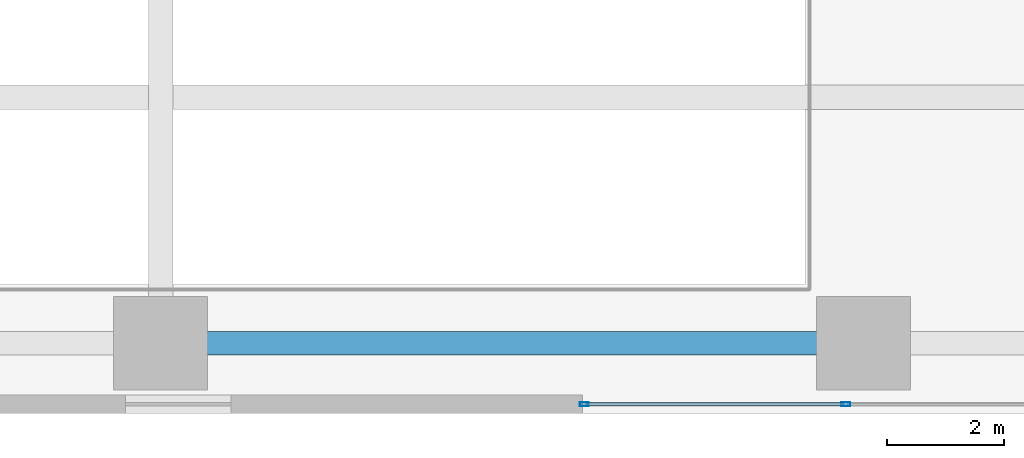
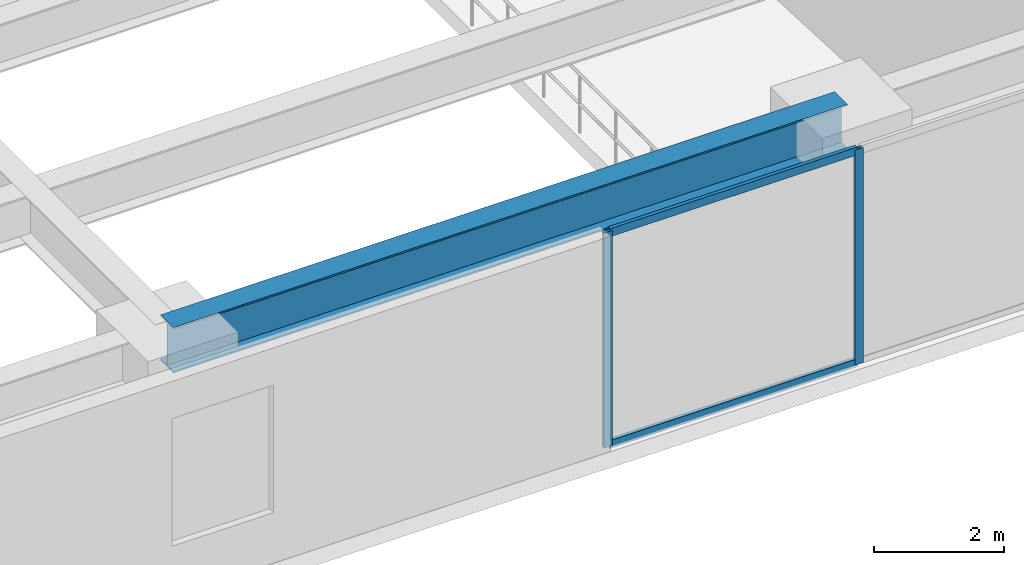
# One storey, part 2 of 25: 4 members, 1 beam, 1 element without a shape of its own.
"""IFC4 building model written with IfcOpenShell, lengths in metres."""

from ifc_helpers import new_model, si_unit, direction, frame, origin, origin_2d, place, context, subcontext, project, spatial, hollow_rectangle, i_section, extrude, source, transform, mapped, material, layer, layer_set, material_profile, profile_set, type_object, type_shapes, element, aggregate, save


model = new_model("IFC4")

# Units and contexts
model_context = context("Model", 3, precision=1e-05, world=origin(), true_north=direction((0.0, 1.0)))
body_context = subcontext(model_context, "Body", "Model", "MODEL_VIEW")
ifc_project = project(units=[si_unit("LENGTHUNIT", "METRE"), si_unit("AREAUNIT", "SQUARE_METRE"), si_unit("VOLUMEUNIT", "CUBIC_METRE"), si_unit("PLANEANGLEUNIT", "RADIAN"), si_unit("MASSUNIT", "GRAM", prefix="KILO")], contexts=[model_context])

# Site, building, storey
site_placement = place(None, origin())
site = spatial("IfcSite", under=ifc_project, at=site_placement, CompositionType="ELEMENT")
building_placement = place(site_placement, origin())
building = spatial("IfcBuilding", under=site, at=building_placement, Name="Talar Marvaseh", CompositionType="ELEMENT")
storey_placement = place(building_placement, frame((0.0, 0.0, 14.39990234375)))
storey = spatial("IfcBuildingStorey", under=building, at=storey_placement, Name="L03", CompositionType="ELEMENT", Elevation=14.39990234375)

# Beam
ifc_material_1 = material(Name="Steel S355", Category="steel")
ifc_material_profile_1 = material_profile(ifc_material_1, i_section(OverallWidth=0.39990234375, OverallDepth=0.85498046875, WebThickness=0.018310546875, FlangeThickness=0.029296875, at=origin_2d()), Name="W840x299")
ifc_profile_set_1 = profile_set([ifc_material_profile_1], Name="Steel S355")
beam_type = type_object("IfcBeamType", Name="Concourse Primary Girder W840x299", PredefinedType="BEAM", material=ifc_profile_set_1)
beam_placement = place(storey_placement, frame((10.800048828125, 9.199951171875, 3.822509765625), z_axis=(1.0, 0.0, 0.0), x_axis=(0.0, 1.0, 0.0)))
element("IfcBeam", 1, at=beam_placement, inside=storey, type_object=beam_type, Name="L03 Concourse Primary Girder W840x299", PredefinedType="BEAM", context=body_context, shape_type="SweptSolid", body=[
    extrude(i_section(OverallWidth=0.39990234375, OverallDepth=0.85498046875, WebThickness=0.018310546875, FlangeThickness=0.029296875, at=origin_2d()), origin(), (0.0, 0.0, 1.0), 12.0),
])

# Curtain wall, members
ifc_material_2 = material(Name="Architectural Aluminium", Category="aluminium")
ifc_layer = layer(ifc_material_2, 0.25)
ifc_layer_set = layer_set([ifc_layer], Name="Architectural Aluminium")
curtain_wall_type = type_object("IfcCurtainWallType", Name="Station Podium Monumental Iwan Curtain Wall", PredefinedType="NOTDEFINED", material=ifc_layer_set)
curtain_wall_placement = place(storey_placement, origin())
curtain_wall = element("IfcCurtainWall", 2, at=curtain_wall_placement, inside=storey, type_object=curtain_wall_type, Name="L03 Station Podium Monumental Iwan Curtain Wall", PredefinedType="NOTDEFINED")
ifc_material_profile_2 = material_profile(ifc_material_2, hollow_rectangle(XDim=0.06494140625, YDim=0.14990234375, WallThickness=0.00390625, at=origin_2d()), Name="RHS150x65x4")
ifc_profile_set_2 = profile_set([ifc_material_profile_2], Name="Architectural Aluminium")
member_type_1 = type_object("IfcMemberType", Name="Unitised Curtain Wall Slim Transom RHS150x65x4", PredefinedType="USERDEFINED", material=ifc_profile_set_2)
shared_shape_1 = source(origin(), body_context, "Body", "SweptSolid", [
    extrude(hollow_rectangle(XDim=0.06494140625, YDim=0.14990234375, WallThickness=0.00390625, at=origin_2d()), origin(), (0.0, 0.0, 1.0), 4.402587890625),
])
type_shapes(member_type_1, [shared_shape_1])
member_1_placement = place(storey_placement, frame((22.467529296875, 8.159912109375, 0.03271484375), z_axis=(-1.0, 0.0, 0.0), x_axis=(0.0, -1.0, 0.0)))
member_1 = element("IfcMember", 3, at=member_1_placement, type_object=member_type_1, Name="CW-POD transom 4.1", ObjectType="TRANSOM", PredefinedType="USERDEFINED", context=body_context, shape_type="MappedRepresentation", body=[
    mapped(shared_shape_1, transform((0.0, 0.0, 0.0), x_axis=(1.0, 0.0, 0.0), y_axis=(0.0, 1.0, 0.0), z_axis=(0.0, 0.0, 1.0), scale=1.0)),
])
member_2_placement = place(storey_placement, frame((22.467529296875, 8.159912109375, 4.017578125), z_axis=(-1.0, 0.0, 0.0), x_axis=(0.0, -1.0, 0.0)))
member_2 = element("IfcMember", 4, at=member_2_placement, type_object=member_type_1, Name="CW-POD transom 4.2", ObjectType="TRANSOM", PredefinedType="USERDEFINED", context=body_context, shape_type="MappedRepresentation", body=[
    mapped(shared_shape_1, transform((0.0, 0.0, 0.0), x_axis=(1.0, 0.0, 0.0), y_axis=(0.0, 1.0, 0.0), z_axis=(0.0, 0.0, 1.0), scale=1.0)),
])
ifc_material_profile_3 = material_profile(ifc_material_2, hollow_rectangle(XDim=0.06494140625, YDim=0.14990234375, WallThickness=0.00390625, at=origin_2d()), Name="RHS150x65x4")
ifc_profile_set_3 = profile_set([ifc_material_profile_3], Name="Architectural Aluminium")
member_type_2 = type_object("IfcMemberType", Name="Unitised Curtain Wall Slim Mullion RHS150x65x4", PredefinedType="MULLION", material=ifc_profile_set_3)
shared_shape_2 = source(origin(), body_context, "Body", "SweptSolid", [
    extrude(hollow_rectangle(XDim=0.06494140625, YDim=0.14990234375, WallThickness=0.00390625, at=origin_2d()), origin(), (0.0, 0.0, 1.0), 4.050048828125),
])
type_shapes(member_type_2, [shared_shape_2])
member_3_placement = place(storey_placement, frame((22.5, 8.159912109375, 0.0), z_axis=(0.0, 0.0, 1.0), x_axis=(0.0, -1.0, 0.0)))
member_3 = element("IfcMember", 5, at=member_3_placement, type_object=member_type_2, Name="CW-POD mullion 4", PredefinedType="MULLION", context=body_context, shape_type="MappedRepresentation", body=[
    mapped(shared_shape_2, transform((0.0, 0.0, 0.0), x_axis=(1.0, 0.0, 0.0), y_axis=(0.0, 1.0, 0.0), z_axis=(0.0, 0.0, 1.0), scale=1.0)),
])
member_4_placement = place(storey_placement, frame((18.032470703125, 8.159912109375, 0.0), z_axis=(0.0, 0.0, 1.0), x_axis=(0.0, -1.0, 0.0)))
member_4 = element("IfcMember", 6, at=member_4_placement, type_object=member_type_2, Name="CW-POD mullion 5", PredefinedType="MULLION", context=body_context, shape_type="MappedRepresentation", body=[
    mapped(shared_shape_2, transform((0.0, 0.0, 0.0), x_axis=(1.0, 0.0, 0.0), y_axis=(0.0, 1.0, 0.0), z_axis=(0.0, 0.0, 1.0), scale=1.0)),
])
aggregate(curtain_wall, [member_3, member_4, member_1, member_2])

save(model, "model.ifc")
